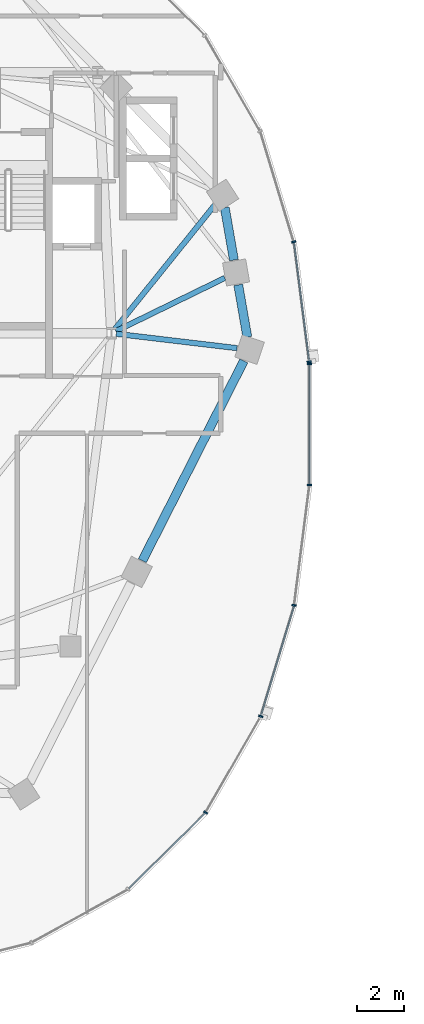
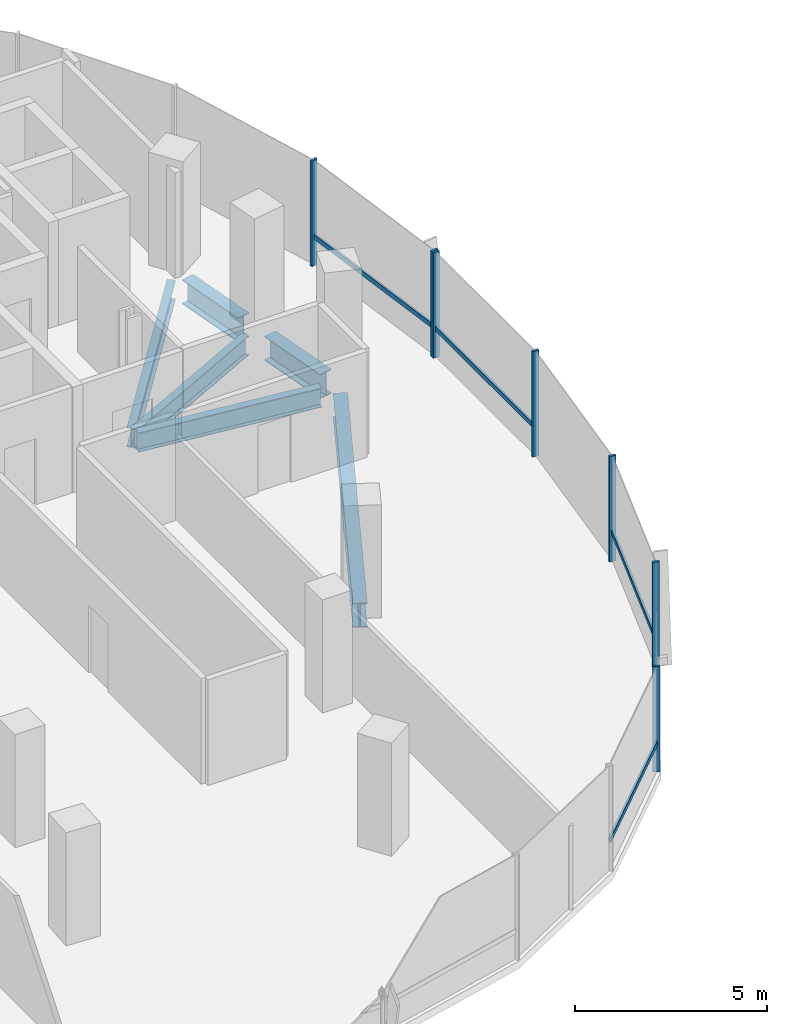
# One storey, part 4 of 22: 11 members, 6 beams, 2 elements without a shape of their own.
"""IFC4 building model written with IfcOpenShell, lengths in metres."""

from ifc_helpers import new_model, si_unit, direction, frame, origin, origin_2d, place, context, subcontext, project, spatial, rectangle, i_section, extrude, material, material_profile, profile_set, type_object, element, aggregate, save


model = new_model("IFC4")

# Units and contexts
model_context = context("Model", 3, precision=1e-05, world=origin(), true_north=direction((0.0, 1.0)))
body_context = subcontext(model_context, "Body", "Model", "MODEL_VIEW")
ifc_project = project(units=[si_unit("LENGTHUNIT", "METRE"), si_unit("AREAUNIT", "SQUARE_METRE"), si_unit("VOLUMEUNIT", "CUBIC_METRE"), si_unit("PLANEANGLEUNIT", "RADIAN"), si_unit("MASSUNIT", "GRAM", prefix="KILO"), si_unit("THERMODYNAMICTEMPERATUREUNIT", "KELVIN"), si_unit("POWERUNIT", "WATT")], contexts=[model_context])

# Site, building, storey
site_placement = place(None, origin())
site = spatial("IfcSite", under=ifc_project, at=site_placement, CompositionType="ELEMENT")
building_placement = place(site_placement, origin())
building = spatial("IfcBuilding", under=site, at=building_placement, Name="Cundina Bronze Exchange", CompositionType="ELEMENT")
storey_placement = place(building_placement, frame((0.0, 0.0, 136.800048828125)))
storey = spatial("IfcBuildingStorey", under=building, at=storey_placement, Name="L35", CompositionType="ELEMENT", Elevation=136.800048828125)

# Beams
ifc_material_1 = material(Name="Steel ASTM A992 Grade 50", Category="steel")
ifc_material_profile_1 = material_profile(ifc_material_1, i_section(OverallWidth=0.22998046875, OverallDepth=0.616943359375, WebThickness=0.01318359375, FlangeThickness=0.022216796875, FilletRadius=0.013916015625, at=origin_2d()), Name="W24X94", Category="steel")
ifc_profile_set_1 = profile_set([ifc_material_profile_1], Name="Steel ASTM A992 Grade 50")
beam_type_1 = type_object("IfcBeamType", Name="BM-FLR-W24B", PredefinedType="BEAM", material=ifc_profile_set_1)
beam_1_placement = place(storey_placement, frame((-21.247314453125, 3.8759765625, -0.548583984375), z_axis=(0.993035701683, -0.117813815752, 0.0), x_axis=(0.117813815752, 0.993035701683, 0.0)))
element("IfcBeam", 1, at=beam_1_placement, inside=storey, type_object=beam_type_1, Name="L35 Leg W Radial Floor Beam 00", PredefinedType="BEAM", context=body_context, shape_type="SweptSolid", body=[
    extrude(i_section(OverallWidth=0.22998046875, OverallDepth=0.616943359375, WebThickness=0.01318359375, FlangeThickness=0.022216796875, FilletRadius=0.013916015625, at=origin_2d()), origin(), (0.0, 0.0, 1.0), 5.19921875),
])
beam_2_placement = place(storey_placement, frame((-21.2666015625, 3.989501953125, -0.548583984375), z_axis=(0.898607246385, 0.438753936443, 0.0), x_axis=(-0.438753936443, 0.898607246385, 0.0)))
element("IfcBeam", 2, at=beam_2_placement, inside=storey, type_object=beam_type_1, Name="L35 Leg W Radial Floor Beam 01", PredefinedType="BEAM", context=body_context, shape_type="SweptSolid", body=[
    extrude(i_section(OverallWidth=0.22998046875, OverallDepth=0.616943359375, WebThickness=0.01318359375, FlangeThickness=0.022216796875, FilletRadius=0.013916015625, at=origin_2d()), origin(), (0.0, 0.0, 1.0), 5.183837890625),
])
beam_3_placement = place(storey_placement, frame((-21.322021484375, 4.058837890625, -0.548583984375), z_axis=(0.627106187843, 0.778933777139, 0.0), x_axis=(-0.778933777139, 0.627106187843, 0.0)))
element("IfcBeam", 3, at=beam_3_placement, inside=storey, type_object=beam_type_1, Name="L35 Leg W Radial Floor Beam 02", PredefinedType="BEAM", context=body_context, shape_type="SweptSolid", body=[
    extrude(i_section(OverallWidth=0.22998046875, OverallDepth=0.616943359375, WebThickness=0.01318359375, FlangeThickness=0.022216796875, FilletRadius=0.013916015625, at=origin_2d()), origin(), (0.0, 0.0, 1.0), 6.83251953125),
])
ifc_material_profile_2 = material_profile(ifc_material_1, i_section(OverallWidth=0.381103515625, OverallDepth=0.77294921875, WebThickness=0.0166015625, FlangeThickness=0.027099609375, FilletRadius=0.01904296875, at=origin_2d()), Name="W30X173", Category="steel")
ifc_profile_set_2 = profile_set([ifc_material_profile_2], Name="Steel ASTM A992 Grade 50")
beam_type_2 = type_object("IfcBeamType", Name="BM-RING-W30", PredefinedType="USERDEFINED", material=ifc_profile_set_2)
for number, where, z_axis, x_axis, name in (
    (4, (-15.642333984375, 3.72998046875, -0.62646484375), (-0.171690078326, 0.985151012284, 0.0), (-0.985151012284, -0.171690078326, 0.0), "L35 W Perimeter Ring Girder 00"),
    (5, (-16.21728515625, 7.030029296875, -0.62646484375), (-0.171690078326, 0.985151012284, 0.0), (-0.985151012284, -0.171690078326, 0.0), "L35 W Perimeter Ring Girder 01"),
):
    element("IfcBeam", number, at=place(storey_placement, frame(where, z_axis=z_axis, x_axis=x_axis)), inside=storey, type_object=beam_type_2, Name=name, ObjectType="GIRDER", PredefinedType="USERDEFINED", context=body_context, shape_type="SweptSolid", body=[
        extrude(i_section(OverallWidth=0.381103515625, OverallDepth=0.77294921875, WebThickness=0.0166015625, FlangeThickness=0.027099609375, FilletRadius=0.01904296875, at=origin_2d()), origin(), (0.0, 0.0, 1.0), 2.273681640625),
    ])
beam_4_placement = place(storey_placement, frame((-20.13134765625, -5.8203125, -0.62646484375), z_axis=(0.452832332744, 0.891595692241, 0.0), x_axis=(-0.891595692241, 0.452832332744, 0.0)))
element("IfcBeam", 6, at=beam_4_placement, inside=storey, type_object=beam_type_2, Name="L35 W Perimeter Ring Girder 13", ObjectType="GIRDER", PredefinedType="USERDEFINED", context=body_context, shape_type="SweptSolid", body=[
    extrude(i_section(OverallWidth=0.381103515625, OverallDepth=0.77294921875, WebThickness=0.0166015625, FlangeThickness=0.027099609375, FilletRadius=0.01904296875, at=origin_2d()), origin(), (0.0, 0.0, 1.0), 9.578857421875),
])

# Curtain wall, members
ifc_material_2 = material(Name="Anodised Bronze Aluminium 6063-T6", Category="aluminium")
curtain_wall_type = type_object("IfcCurtainWallType", Name="CWS-WST-PIN", PredefinedType="NOTDEFINED", material=ifc_material_2)
curtain_wall_1_placement = place(storey_placement, origin())
curtain_wall_1 = element("IfcCurtainWall", 7, at=curtain_wall_1_placement, inside=storey, type_object=curtain_wall_type, Name="L35 CW-04 Curtain Wall Run CWR-L35-W1", PredefinedType="NOTDEFINED")
ifc_material_profile_3 = material_profile(ifc_material_2, rectangle(XDim=0.070068359375, YDim=0.18994140625, at=origin_2d()), Name="AL70X190", Category="aluminium")
ifc_profile_set_3 = profile_set([ifc_material_profile_3], Name="Anodised Bronze Aluminium 6063-T6")
member_type_1 = type_object("IfcMemberType", Name="CWM-MUL-190", PredefinedType="MULLION", material=ifc_profile_set_3)
member_1_placement = place(storey_placement, frame((-12.998291015625, 2.676025390625, 0.0), z_axis=(0.0, 0.0, 1.0), x_axis=(-0.126545236492, 0.991960837494, 0.0)))
member_1 = element("IfcMember", 8, at=member_1_placement, type_object=member_type_1, Name="CW-04 Mullion 1", PredefinedType="MULLION", context=body_context, shape_type="SweptSolid", body=[
    extrude(rectangle(XDim=0.070068359375, YDim=0.18994140625, at=origin_2d()), origin(), (0.0, 0.0, 1.0), 3.35986328125),
])
member_2_placement = place(storey_placement, frame((-13.6591796875, 7.80859375, 0.0), z_axis=(0.0, 0.0, 1.0), x_axis=(-0.290034140915, 0.957016299288, 0.0)))
member_2 = element("IfcMember", 9, at=member_2_placement, type_object=member_type_1, Name="CW-04 Mullion 2", PredefinedType="MULLION", context=body_context, shape_type="SweptSolid", body=[
    extrude(rectangle(XDim=0.070068359375, YDim=0.18994140625, at=origin_2d()), origin(), (0.0, 0.0, 1.0), 3.35986328125),
])

curtain_wall_2_placement = place(storey_placement, origin())
curtain_wall_2 = element("IfcCurtainWall", 10, at=curtain_wall_2_placement, inside=storey, type_object=curtain_wall_type, Name="L35 CW-04 Curtain Wall Run CWR-L35-W4", PredefinedType="NOTDEFINED")
member_3_placement = place(storey_placement, frame((-17.42919921875, -16.588134765625, 0.0), z_axis=(0.0, 0.0, 1.0), x_axis=(0.498487739754, 0.866896748936, 0.0)))
member_3 = element("IfcMember", 11, at=member_3_placement, type_object=member_type_1, Name="CW-04 Mullion 4", PredefinedType="MULLION", context=body_context, shape_type="SweptSolid", body=[
    extrude(rectangle(XDim=0.070068359375, YDim=0.18994140625, at=origin_2d()), origin(), (0.0, 0.0, 1.0), 3.35986328125),
])
member_4_placement = place(storey_placement, frame((-15.07373046875, -12.4755859375, 0.0), z_axis=(0.0, 0.0, 1.0), x_axis=(0.290034140915, 0.957016299288, 0.0)))
member_4 = element("IfcMember", 12, at=member_4_placement, type_object=member_type_1, Name="CW-04 Mullion 5", PredefinedType="MULLION", context=body_context, shape_type="SweptSolid", body=[
    extrude(rectangle(XDim=0.070068359375, YDim=0.18994140625, at=origin_2d()), origin(), (0.0, 0.0, 1.0), 3.35986328125),
])
member_5_placement = place(storey_placement, frame((-13.642822265625, -7.731689453125, 0.0), z_axis=(0.0, 0.0, 1.0), x_axis=(0.126545236492, 0.991960837494, 0.0)))
member_5 = element("IfcMember", 13, at=member_5_placement, type_object=member_type_1, Name="CW-04 Mullion 6", PredefinedType="MULLION", context=body_context, shape_type="SweptSolid", body=[
    extrude(rectangle(XDim=0.070068359375, YDim=0.18994140625, at=origin_2d()), origin(), (0.0, 0.0, 1.0), 3.35986328125),
])
member_6_placement = place(storey_placement, frame((-12.992919921875, -2.593017578125, 0.0), z_axis=(0.0, 0.0, 1.0), x_axis=(0.0, 1.0, 0.0)))
member_6 = element("IfcMember", 14, at=member_6_placement, type_object=member_type_1, Name="CW-04 Mullion 7", PredefinedType="MULLION", context=body_context, shape_type="SweptSolid", body=[
    extrude(rectangle(XDim=0.070068359375, YDim=0.18994140625, at=origin_2d()), origin(), (0.0, 0.0, 1.0), 3.35986328125),
])
member_7_placement = place(storey_placement, frame((-12.992919921875, 2.593017578125, 0.0), z_axis=(0.0, 0.0, 1.0), x_axis=(0.0, 1.0, 0.0)))
member_7 = element("IfcMember", 15, at=member_7_placement, type_object=member_type_1, Name="CW-04 End Mullion", PredefinedType="MULLION", context=body_context, shape_type="SweptSolid", body=[
    extrude(rectangle(XDim=0.070068359375, YDim=0.18994140625, at=origin_2d()), origin(), (0.0, 0.0, 1.0), 3.35986328125),
])

# Member
ifc_material_profile_4 = material_profile(ifc_material_2, rectangle(XDim=0.06494140625, YDim=0.14990234375, at=origin_2d()), Name="AL65X150", Category="aluminium")
ifc_profile_set_4 = profile_set([ifc_material_profile_4], Name="Anodised Bronze Aluminium 6063-T6")
member_type_2 = type_object("IfcMemberType", Name="CWM-TRN-150", PredefinedType="USERDEFINED", material=ifc_profile_set_4)
member_8_placement = place(storey_placement, frame((-13.003173828125, 2.71435546875, 0.919921875), z_axis=(-0.12646340362, 0.991971273548, 0.0), x_axis=(-0.991971273548, -0.12646340362, 0.0)))
member_8 = element("IfcMember", 16, at=member_8_placement, type_object=member_type_2, Name="CW-04 Spandrel Transom 1", ObjectType="TRANSOM", PredefinedType="USERDEFINED", context=body_context, shape_type="SweptSolid", body=[
    extrude(rectangle(XDim=0.06494140625, YDim=0.14990234375, at=origin_2d()), origin(), (0.0, 0.0, 1.0), 5.0966796875),
])

aggregate(curtain_wall_1, [member_1, member_8, member_2])

member_9_placement = place(storey_placement, frame((-20.71337890625, -19.839599609375, 0.919921875), z_axis=(0.712005023839, 0.702174370102, 0.0), x_axis=(-0.702174370102, 0.712005023839, 0.0)))
member_9 = element("IfcMember", 17, at=member_9_placement, type_object=member_type_2, Name="CW-04 Spandrel Transom 3", ObjectType="TRANSOM", PredefinedType="USERDEFINED", context=body_context, shape_type="SweptSolid", body=[
    extrude(rectangle(XDim=0.06494140625, YDim=0.14990234375, at=origin_2d()), origin(), (0.0, 0.0, 1.0), 4.594482421875),
])

member_10_placement = place(storey_placement, frame((-15.062744140625, -12.43896484375, 0.919921875), z_axis=(0.290051855969, 0.957010930371, 0.0), x_axis=(-0.957010930371, 0.290051855969, 0.0)))
member_10 = element("IfcMember", 18, at=member_10_placement, type_object=member_type_2, Name="CW-04 Spandrel Transom 5", ObjectType="TRANSOM", PredefinedType="USERDEFINED", context=body_context, shape_type="SweptSolid", body=[
    extrude(rectangle(XDim=0.06494140625, YDim=0.14990234375, at=origin_2d()), origin(), (0.0, 0.0, 1.0), 4.876953125),
])

member_11_placement = place(storey_placement, frame((-12.992919921875, -2.554443359375, 0.919921875), z_axis=(0.0, 1.0, 0.0), x_axis=(-1.0, 0.0, 0.0)))
member_11 = element("IfcMember", 19, at=member_11_placement, type_object=member_type_2, Name="CW-04 Spandrel Transom 7", ObjectType="TRANSOM", PredefinedType="USERDEFINED", context=body_context, shape_type="SweptSolid", body=[
    extrude(rectangle(XDim=0.06494140625, YDim=0.14990234375, at=origin_2d()), origin(), (0.0, 0.0, 1.0), 5.10888671875),
])

aggregate(curtain_wall_2, [member_9, member_3, member_4, member_10, member_5, member_6, member_7, member_11])

save(model, "model.ifc")
